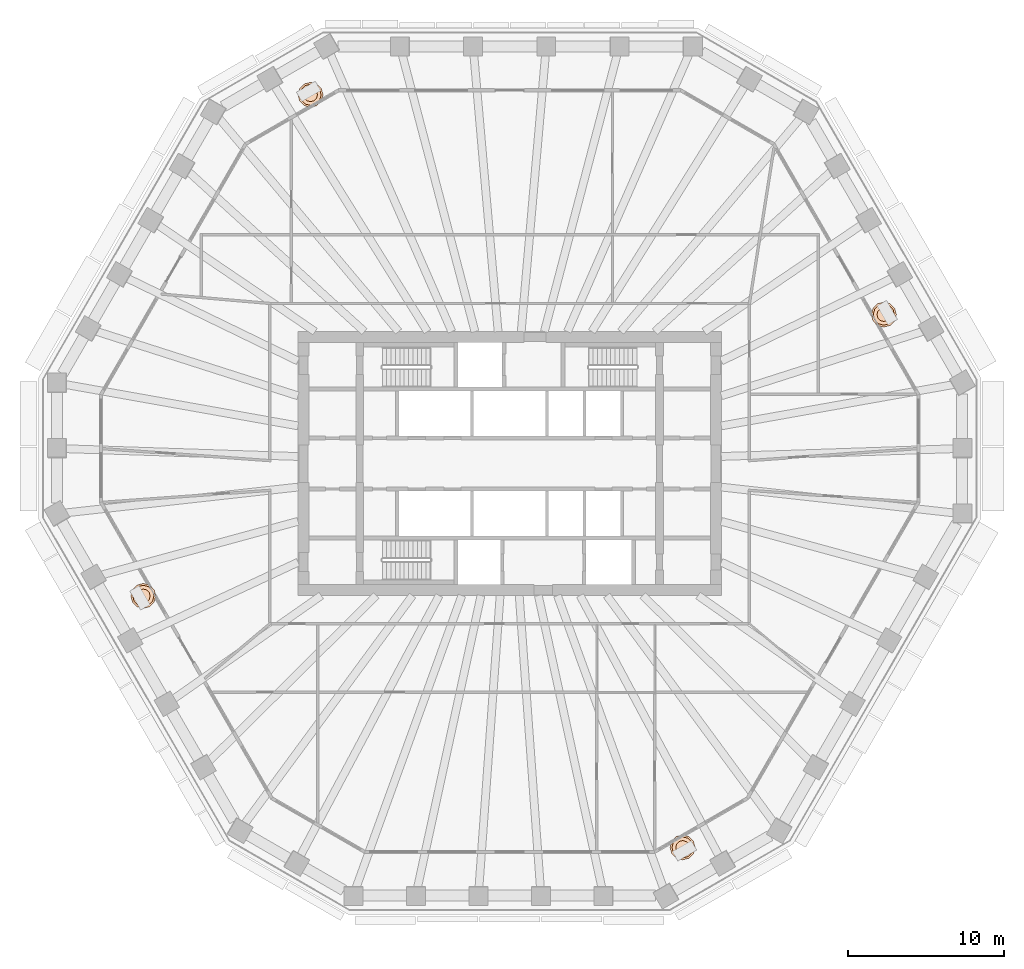
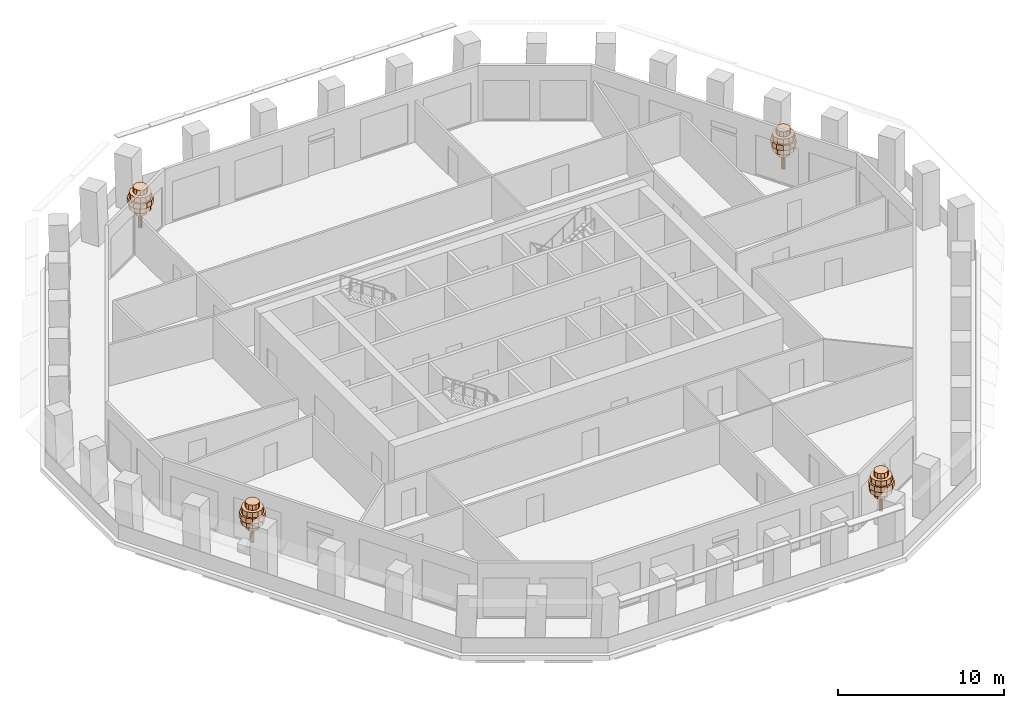
# One storey, part 12 of 12: 4 geographic elements.
"""IFC4 building model written with IfcOpenShell, lengths in metres."""

from ifc_helpers import new_model, si_unit, direction, frame, origin, place, context, subcontext, project, spatial, polyline, outline, extrude, material, type_object, element, save


model = new_model("IFC4")

# Units and contexts
model_context = context("Model", 3, precision=1e-05, world=origin(), true_north=direction((0.0, 1.0)))
body_context = subcontext(model_context, "Body", "Model", "MODEL_VIEW")
ifc_project = project(units=[si_unit("LENGTHUNIT", "METRE"), si_unit("AREAUNIT", "SQUARE_METRE"), si_unit("VOLUMEUNIT", "CUBIC_METRE"), si_unit("PLANEANGLEUNIT", "RADIAN"), si_unit("MASSUNIT", "GRAM", prefix="KILO")], contexts=[model_context])

# Site, building, storey
site_placement = place(None, origin())
site = spatial("IfcSite", under=ifc_project, at=site_placement, CompositionType="ELEMENT")
building_placement = place(site_placement, origin())
building = spatial("IfcBuilding", under=site, at=building_placement, Name="Frailejon Research Tower", CompositionType="ELEMENT")
storey_placement = place(building_placement, frame((0.0, 0.0, 176.0)))
storey = spatial("IfcBuildingStorey", under=building, at=storey_placement, Name="L38", CompositionType="ELEMENT", Elevation=176.0)

# Geographic elements
ifc_material = material(Name="Foliage, green")
geographic_element_type = type_object("IfcGeographicElementType", Name="Frailejon tree, loggia", PredefinedType="USERDEFINED", material=ifc_material)
geographic_element_1_placement = place(storey_placement, frame((23.958740234375, 9.5380859375, 0.60009765625)))
element("IfcGeographicElement", 1, at=geographic_element_1_placement, inside=storey, type_object=geographic_element_type, Name="Tree L38", ObjectType="TREE", PredefinedType="USERDEFINED", context=body_context, shape_type="SweptSolid", body=[
    extrude(outline(polyline([(0.1298828125, 0.0), (0.112548828125, 0.06494140625), (0.06494140625, 0.112548828125), (0.0, 0.1298828125), (-0.06494140625, 0.112548828125), (-0.112548828125, 0.06494140625), (-0.1298828125, 0.0), (-0.112548828125, -0.06494140625), (-0.06494140625, -0.112548828125), (0.0, -0.1298828125), (0.06494140625, -0.112548828125), (0.112548828125, -0.06494140625), (0.1298828125, 0.0)])), origin(), (0.0, 0.0, 1.0), 2.239990234375),
    extrude(outline(polyline([(0.43994140625, 0.0), (0.381103515625, 0.219970703125), (0.219970703125, 0.381103515625), (0.0, 0.43994140625), (-0.219970703125, 0.381103515625), (-0.381103515625, 0.219970703125), (-0.43994140625, 0.0), (-0.381103515625, -0.219970703125), (-0.219970703125, -0.381103515625), (0.0, -0.43994140625), (0.219970703125, -0.381103515625), (0.381103515625, -0.219970703125), (0.43994140625, 0.0)])), frame((0.0, 0.0, 1.10009765625)), (0.0, 0.0, 1.0), 0.3798828125),
    extrude(outline(polyline([(0.719970703125, 0.0), (0.62353515625, 0.360107421875), (0.360107421875, 0.62353515625), (0.0, 0.719970703125), (-0.360107421875, 0.62353515625), (-0.62353515625, 0.360107421875), (-0.719970703125, 0.0), (-0.62353515625, -0.360107421875), (-0.360107421875, -0.62353515625), (0.0, -0.719970703125), (0.360107421875, -0.62353515625), (0.62353515625, -0.360107421875), (0.719970703125, 0.0)])), frame((0.0, 0.0, 1.47998046875)), (0.0, 0.0, 1.0), 0.3798828125),
    extrude(outline(polyline([(0.800048828125, 0.0), (0.69287109375, 0.39990234375), (0.39990234375, 0.69287109375), (0.0, 0.800048828125), (-0.39990234375, 0.69287109375), (-0.69287109375, 0.39990234375), (-0.800048828125, 0.0), (-0.69287109375, -0.39990234375), (-0.39990234375, -0.69287109375), (0.0, -0.800048828125), (0.39990234375, -0.69287109375), (0.69287109375, -0.39990234375), (0.800048828125, 0.0)])), frame((0.0, 0.0, 1.860107421875)), (0.0, 0.0, 1.0), 0.3798828125),
    extrude(outline(polyline([(0.679931640625, 0.0), (0.5888671875, 0.340087890625), (0.340087890625, 0.5888671875), (0.0, 0.679931640625), (-0.340087890625, 0.5888671875), (-0.5888671875, 0.340087890625), (-0.679931640625, 0.0), (-0.5888671875, -0.340087890625), (-0.340087890625, -0.5888671875), (0.0, -0.679931640625), (0.340087890625, -0.5888671875), (0.5888671875, -0.340087890625), (0.679931640625, 0.0)])), frame((0.0, 0.0, 2.239990234375)), (0.0, 0.0, 1.0), 0.3798828125),
    extrude(outline(polyline([(0.43994140625, 0.0), (0.381103515625, 0.219970703125), (0.219970703125, 0.381103515625), (0.0, 0.43994140625), (-0.219970703125, 0.381103515625), (-0.381103515625, 0.219970703125), (-0.43994140625, 0.0), (-0.381103515625, -0.219970703125), (-0.219970703125, -0.381103515625), (0.0, -0.43994140625), (0.219970703125, -0.381103515625), (0.381103515625, -0.219970703125), (0.43994140625, 0.0)])), frame((0.0, 0.0, 2.6201171875)), (0.0, 0.0, 1.0), 0.3798828125),
])
geographic_element_2_placement = place(storey_placement, frame((-12.7490234375, 23.6103515625, 0.60009765625)))
element("IfcGeographicElement", 2, at=geographic_element_2_placement, inside=storey, type_object=geographic_element_type, Name="Tree L38", ObjectType="TREE", PredefinedType="USERDEFINED", context=body_context, shape_type="SweptSolid", body=[
    extrude(outline(polyline([(0.1298828125, 0.0), (0.112548828125, 0.06494140625), (0.06494140625, 0.112548828125), (0.0, 0.1298828125), (-0.06494140625, 0.112548828125), (-0.112548828125, 0.06494140625), (-0.1298828125, 0.0), (-0.112548828125, -0.06494140625), (-0.06494140625, -0.112548828125), (0.0, -0.1298828125), (0.06494140625, -0.112548828125), (0.112548828125, -0.06494140625), (0.1298828125, 0.0)])), origin(), (0.0, 0.0, 1.0), 2.239990234375),
    extrude(outline(polyline([(0.43994140625, 0.0), (0.381103515625, 0.219970703125), (0.219970703125, 0.381103515625), (0.0, 0.43994140625), (-0.219970703125, 0.381103515625), (-0.381103515625, 0.219970703125), (-0.43994140625, 0.0), (-0.381103515625, -0.219970703125), (-0.219970703125, -0.381103515625), (0.0, -0.43994140625), (0.219970703125, -0.381103515625), (0.381103515625, -0.219970703125), (0.43994140625, 0.0)])), frame((0.0, 0.0, 1.10009765625)), (0.0, 0.0, 1.0), 0.3798828125),
    extrude(outline(polyline([(0.719970703125, 0.0), (0.62353515625, 0.360107421875), (0.360107421875, 0.62353515625), (0.0, 0.719970703125), (-0.360107421875, 0.62353515625), (-0.62353515625, 0.360107421875), (-0.719970703125, 0.0), (-0.62353515625, -0.360107421875), (-0.360107421875, -0.62353515625), (0.0, -0.719970703125), (0.360107421875, -0.62353515625), (0.62353515625, -0.360107421875), (0.719970703125, 0.0)])), frame((0.0, 0.0, 1.47998046875)), (0.0, 0.0, 1.0), 0.3798828125),
    extrude(outline(polyline([(0.800048828125, 0.0), (0.69287109375, 0.39990234375), (0.39990234375, 0.69287109375), (0.0, 0.800048828125), (-0.39990234375, 0.69287109375), (-0.69287109375, 0.39990234375), (-0.800048828125, 0.0), (-0.69287109375, -0.39990234375), (-0.39990234375, -0.69287109375), (0.0, -0.800048828125), (0.39990234375, -0.69287109375), (0.69287109375, -0.39990234375), (0.800048828125, 0.0)])), frame((0.0, 0.0, 1.860107421875)), (0.0, 0.0, 1.0), 0.3798828125),
    extrude(outline(polyline([(0.679931640625, 0.0), (0.5888671875, 0.340087890625), (0.340087890625, 0.5888671875), (0.0, 0.679931640625), (-0.340087890625, 0.5888671875), (-0.5888671875, 0.340087890625), (-0.679931640625, 0.0), (-0.5888671875, -0.340087890625), (-0.340087890625, -0.5888671875), (0.0, -0.679931640625), (0.340087890625, -0.5888671875), (0.5888671875, -0.340087890625), (0.679931640625, 0.0)])), frame((0.0, 0.0, 2.239990234375)), (0.0, 0.0, 1.0), 0.3798828125),
    extrude(outline(polyline([(0.43994140625, 0.0), (0.381103515625, 0.219970703125), (0.219970703125, 0.381103515625), (0.0, 0.43994140625), (-0.219970703125, 0.381103515625), (-0.381103515625, 0.219970703125), (-0.43994140625, 0.0), (-0.381103515625, -0.219970703125), (-0.219970703125, -0.381103515625), (0.0, -0.43994140625), (0.219970703125, -0.381103515625), (0.381103515625, -0.219970703125), (0.43994140625, 0.0)])), frame((0.0, 0.0, 2.6201171875)), (0.0, 0.0, 1.0), 0.3798828125),
])
geographic_element_3_placement = place(storey_placement, frame((-23.455810546875, -8.473388671875, 0.60009765625)))
element("IfcGeographicElement", 3, at=geographic_element_3_placement, inside=storey, type_object=geographic_element_type, Name="Tree L38", ObjectType="TREE", PredefinedType="USERDEFINED", context=body_context, shape_type="SweptSolid", body=[
    extrude(outline(polyline([(0.1298828125, 0.0), (0.112548828125, 0.06494140625), (0.06494140625, 0.112548828125), (0.0, 0.1298828125), (-0.06494140625, 0.112548828125), (-0.112548828125, 0.06494140625), (-0.1298828125, 0.0), (-0.112548828125, -0.06494140625), (-0.06494140625, -0.112548828125), (0.0, -0.1298828125), (0.06494140625, -0.112548828125), (0.112548828125, -0.06494140625), (0.1298828125, 0.0)])), origin(), (0.0, 0.0, 1.0), 2.239990234375),
    extrude(outline(polyline([(0.43994140625, 0.0), (0.381103515625, 0.219970703125), (0.219970703125, 0.381103515625), (0.0, 0.43994140625), (-0.219970703125, 0.381103515625), (-0.381103515625, 0.219970703125), (-0.43994140625, 0.0), (-0.381103515625, -0.219970703125), (-0.219970703125, -0.381103515625), (0.0, -0.43994140625), (0.219970703125, -0.381103515625), (0.381103515625, -0.219970703125), (0.43994140625, 0.0)])), frame((0.0, 0.0, 1.10009765625)), (0.0, 0.0, 1.0), 0.3798828125),
    extrude(outline(polyline([(0.719970703125, 0.0), (0.62353515625, 0.360107421875), (0.360107421875, 0.62353515625), (0.0, 0.719970703125), (-0.360107421875, 0.62353515625), (-0.62353515625, 0.360107421875), (-0.719970703125, 0.0), (-0.62353515625, -0.360107421875), (-0.360107421875, -0.62353515625), (0.0, -0.719970703125), (0.360107421875, -0.62353515625), (0.62353515625, -0.360107421875), (0.719970703125, 0.0)])), frame((0.0, 0.0, 1.47998046875)), (0.0, 0.0, 1.0), 0.3798828125),
    extrude(outline(polyline([(0.800048828125, 0.0), (0.69287109375, 0.39990234375), (0.39990234375, 0.69287109375), (0.0, 0.800048828125), (-0.39990234375, 0.69287109375), (-0.69287109375, 0.39990234375), (-0.800048828125, 0.0), (-0.69287109375, -0.39990234375), (-0.39990234375, -0.69287109375), (0.0, -0.800048828125), (0.39990234375, -0.69287109375), (0.69287109375, -0.39990234375), (0.800048828125, 0.0)])), frame((0.0, 0.0, 1.860107421875)), (0.0, 0.0, 1.0), 0.3798828125),
    extrude(outline(polyline([(0.679931640625, 0.0), (0.5888671875, 0.340087890625), (0.340087890625, 0.5888671875), (0.0, 0.679931640625), (-0.340087890625, 0.5888671875), (-0.5888671875, 0.340087890625), (-0.679931640625, 0.0), (-0.5888671875, -0.340087890625), (-0.340087890625, -0.5888671875), (0.0, -0.679931640625), (0.340087890625, -0.5888671875), (0.5888671875, -0.340087890625), (0.679931640625, 0.0)])), frame((0.0, 0.0, 2.239990234375)), (0.0, 0.0, 1.0), 0.3798828125),
    extrude(outline(polyline([(0.43994140625, 0.0), (0.381103515625, 0.219970703125), (0.219970703125, 0.381103515625), (0.0, 0.43994140625), (-0.219970703125, 0.381103515625), (-0.381103515625, 0.219970703125), (-0.43994140625, 0.0), (-0.381103515625, -0.219970703125), (-0.219970703125, -0.381103515625), (0.0, -0.43994140625), (0.219970703125, -0.381103515625), (0.381103515625, -0.219970703125), (0.43994140625, 0.0)])), frame((0.0, 0.0, 2.6201171875)), (0.0, 0.0, 1.0), 0.3798828125),
])
geographic_element_4_placement = place(storey_placement, frame((11.072509765625, -24.578125, 0.60009765625)))
element("IfcGeographicElement", 4, at=geographic_element_4_placement, inside=storey, type_object=geographic_element_type, Name="Tree L38", ObjectType="TREE", PredefinedType="USERDEFINED", context=body_context, shape_type="SweptSolid", body=[
    extrude(outline(polyline([(0.1298828125, 0.0), (0.112548828125, 0.06494140625), (0.06494140625, 0.112548828125), (0.0, 0.1298828125), (-0.06494140625, 0.112548828125), (-0.112548828125, 0.06494140625), (-0.1298828125, 0.0), (-0.112548828125, -0.06494140625), (-0.06494140625, -0.112548828125), (0.0, -0.1298828125), (0.06494140625, -0.112548828125), (0.112548828125, -0.06494140625), (0.1298828125, 0.0)])), origin(), (0.0, 0.0, 1.0), 2.239990234375),
    extrude(outline(polyline([(0.43994140625, 0.0), (0.381103515625, 0.219970703125), (0.219970703125, 0.381103515625), (0.0, 0.43994140625), (-0.219970703125, 0.381103515625), (-0.381103515625, 0.219970703125), (-0.43994140625, 0.0), (-0.381103515625, -0.219970703125), (-0.219970703125, -0.381103515625), (0.0, -0.43994140625), (0.219970703125, -0.381103515625), (0.381103515625, -0.219970703125), (0.43994140625, 0.0)])), frame((0.0, 0.0, 1.10009765625)), (0.0, 0.0, 1.0), 0.3798828125),
    extrude(outline(polyline([(0.719970703125, 0.0), (0.62353515625, 0.360107421875), (0.360107421875, 0.62353515625), (0.0, 0.719970703125), (-0.360107421875, 0.62353515625), (-0.62353515625, 0.360107421875), (-0.719970703125, 0.0), (-0.62353515625, -0.360107421875), (-0.360107421875, -0.62353515625), (0.0, -0.719970703125), (0.360107421875, -0.62353515625), (0.62353515625, -0.360107421875), (0.719970703125, 0.0)])), frame((0.0, 0.0, 1.47998046875)), (0.0, 0.0, 1.0), 0.3798828125),
    extrude(outline(polyline([(0.800048828125, 0.0), (0.69287109375, 0.39990234375), (0.39990234375, 0.69287109375), (0.0, 0.800048828125), (-0.39990234375, 0.69287109375), (-0.69287109375, 0.39990234375), (-0.800048828125, 0.0), (-0.69287109375, -0.39990234375), (-0.39990234375, -0.69287109375), (0.0, -0.800048828125), (0.39990234375, -0.69287109375), (0.69287109375, -0.39990234375), (0.800048828125, 0.0)])), frame((0.0, 0.0, 1.860107421875)), (0.0, 0.0, 1.0), 0.3798828125),
    extrude(outline(polyline([(0.679931640625, 0.0), (0.5888671875, 0.340087890625), (0.340087890625, 0.5888671875), (0.0, 0.679931640625), (-0.340087890625, 0.5888671875), (-0.5888671875, 0.340087890625), (-0.679931640625, 0.0), (-0.5888671875, -0.340087890625), (-0.340087890625, -0.5888671875), (0.0, -0.679931640625), (0.340087890625, -0.5888671875), (0.5888671875, -0.340087890625), (0.679931640625, 0.0)])), frame((0.0, 0.0, 2.239990234375)), (0.0, 0.0, 1.0), 0.3798828125),
    extrude(outline(polyline([(0.43994140625, 0.0), (0.381103515625, 0.219970703125), (0.219970703125, 0.381103515625), (0.0, 0.43994140625), (-0.219970703125, 0.381103515625), (-0.381103515625, 0.219970703125), (-0.43994140625, 0.0), (-0.381103515625, -0.219970703125), (-0.219970703125, -0.381103515625), (0.0, -0.43994140625), (0.219970703125, -0.381103515625), (0.381103515625, -0.219970703125), (0.43994140625, 0.0)])), frame((0.0, 0.0, 2.6201171875)), (0.0, 0.0, 1.0), 0.3798828125),
])

save(model, "model.ifc")
